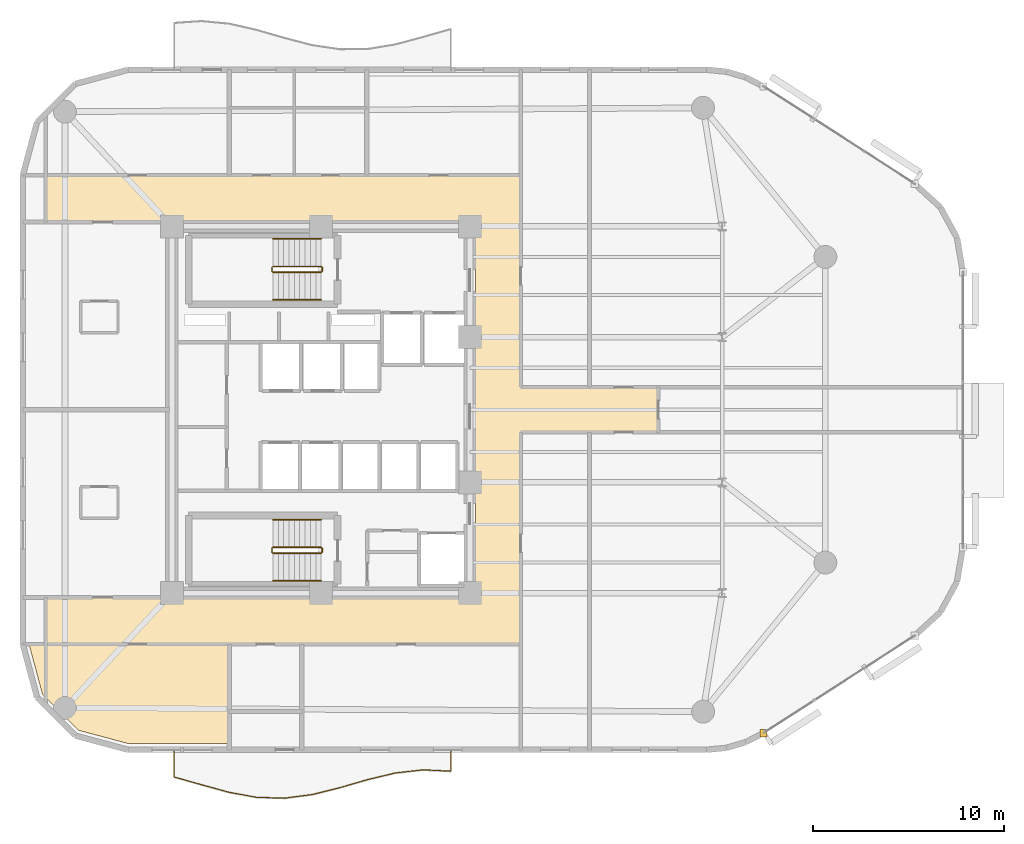
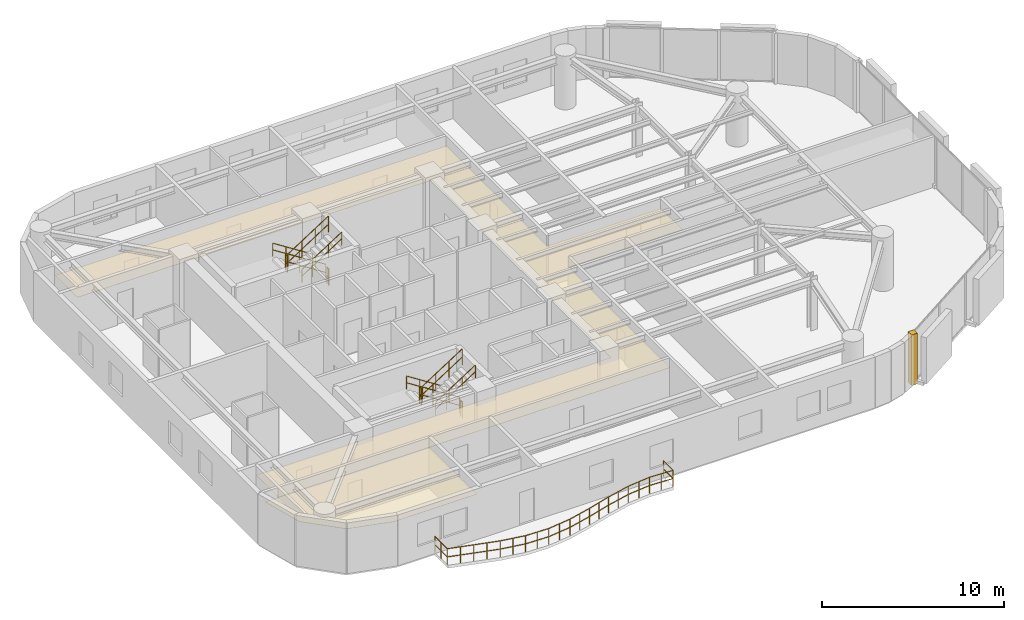
# One storey, part 14 of 15: 13 railings, 3 coverings.
"""IFC4 building model written with IfcOpenShell, lengths in metres."""

import ifcopenshell
import ifcopenshell.guid

model = None  # the IFC model being written
_history = None  # IfcOwnerHistory: only IFC2X3 demands one
_inside = {}  # id of a spatial element -> (the spatial element, [elements in it])
_under = {}  # id of a project, library or spatial element -> (it, [spatial elements below it])
_declared = {}  # id of a project -> (the project, [libraries it declares])
_typed = {}  # id of a type object -> (the type object, [elements of that type])
_made_of = {}  # id of a material, layer set ... -> (it, [elements and type objects made of it])


def new_model(schema):
    """Start an empty IFC model of exactly this schema.

    Asked for "IFC4X3", IfcOpenShell would pick the latest addendum, in which some entities
    have other attributes; the version numbers below select the first issue.
    IFC2X3 requires an IfcOwnerHistory on every rooted entity: one is made here for all.
    """
    global model, _history
    if schema == "IFC4X3":
        model = ifcopenshell.file(schema_version=(4, 3, 0, 0))
    else:
        model = ifcopenshell.file(schema=schema)
    _inside.clear()
    _under.clear()
    _declared.clear()
    _typed.clear()
    _made_of.clear()
    _history = None
    if model.schema == "IFC2X3":
        org = make("IfcOrganization", Name="unknown")
        user = make(
            "IfcPersonAndOrganization",
            ThePerson=make("IfcPerson", FamilyName="unknown"),
            TheOrganization=org,
        )
        app = make(
            "IfcApplication",
            ApplicationDeveloper=org,
            Version="unknown",
            ApplicationFullName="unknown",
            ApplicationIdentifier="unknown",
        )
        _history = make(
            "IfcOwnerHistory",
            OwningUser=user,
            OwningApplication=app,
            ChangeAction="ADDED",
            CreationDate=0,
        )
    return model


def make(cls, **values):
    """One entity of the class cls with the attributes given. An attribute that is None is left unset."""
    return model.create_entity(
        cls, **{name: value for name, value in values.items() if value is not None}
    )


def rooted(cls, **values):
    """An entity with a GlobalId (a new one), such as an element, a storey or a relation."""
    return make(cls, GlobalId=ifcopenshell.guid.new(), OwnerHistory=_history, **values)


def si_unit(unit_type, name, prefix=None):
    """IfcSIUnit, for example si_unit("LENGTHUNIT", "METRE", prefix="MILLI")."""
    return make("IfcSIUnit", UnitType=unit_type, Prefix=prefix, Name=name)


def assignment(units):
    """IfcUnitAssignment: the units of a project."""
    return None if units is None else make("IfcUnitAssignment", Units=units)


def point(xyz):
    """IfcCartesianPoint."""
    return None if xyz is None else make("IfcCartesianPoint", Coordinates=xyz)


def direction(xyz):
    """IfcDirection."""
    return None if xyz is None else make("IfcDirection", DirectionRatios=xyz)


def frame(location, z_axis=None, x_axis=None):
    """IfcAxis2Placement3D, a coordinate frame: its origin and axes. An axis left out is left unset."""
    return make(
        "IfcAxis2Placement3D",
        Location=point(location),
        Axis=direction(z_axis),
        RefDirection=direction(x_axis),
    )


def frame_2d(location, x_axis=None):
    """IfcAxis2Placement2D, a coordinate frame in the plane: its origin and x axis."""
    return make(
        "IfcAxis2Placement2D", Location=point(location), RefDirection=direction(x_axis)
    )


def origin():
    """The frame at (0, 0, 0) with its axes left unset."""
    return frame((0.0, 0.0, 0.0))


def origin_2d():
    """The frame at (0, 0) in the plane with its x axis left unset."""
    return frame_2d((0.0, 0.0))


def place(relative_to, where):
    """IfcLocalPlacement: puts the frame where relative to a parent placement (None: the world)."""
    return make(
        "IfcLocalPlacement", PlacementRelTo=relative_to, RelativePlacement=where
    )


def context(
    kind, dimensions, precision=None, world=None, true_north=None, identifier=None
):
    """IfcGeometricRepresentationContext, for example the 3D "Model" context."""
    return make(
        "IfcGeometricRepresentationContext",
        ContextIdentifier=identifier,
        ContextType=kind,
        CoordinateSpaceDimension=dimensions,
        Precision=precision,
        WorldCoordinateSystem=world,
        TrueNorth=true_north,
    )


def subcontext(parent, identifier, kind, view, scale=None):
    """IfcGeometricRepresentationSubContext, for example "Body" below "Model"."""
    return make(
        "IfcGeometricRepresentationSubContext",
        ContextIdentifier=identifier,
        ContextType=kind,
        ParentContext=parent,
        TargetScale=scale,
        TargetView=view,
    )


def project(units=None, contexts=None):
    """IfcProject with its units and contexts."""
    return rooted(
        "IfcProject",
        Name="project",
        RepresentationContexts=contexts,
        UnitsInContext=assignment(units),
    )


def spatial(cls, under=None, at=None, **own):
    """A site, building, storey or space (cls), placed at a placement, below another one or the project."""
    s = rooted(cls, ObjectPlacement=at, **own)
    if under is not None:
        _under.setdefault(under.id(), (under, []))[1].append(s)
    return s


def polyline(points):
    """IfcPolyline through the points."""
    return make("IfcPolyline", Points=[point(p) for p in points])


def profile(cls, at=None, kind="AREA", **sizes):
    """A parametric profile (cls). Its sizes go by their IFC names, for example OverallWidth=200.0."""
    return make(cls, ProfileType=kind, Position=at, **sizes)


def rectangle(**sizes):
    """IfcRectangleProfileDef."""
    return profile("IfcRectangleProfileDef", **sizes)


def circle(**sizes):
    """IfcCircleProfileDef."""
    return profile("IfcCircleProfileDef", **sizes)


def outline(outer, holes=None, kind="AREA"):
    """IfcArbitraryClosedProfileDef: a profile drawn as a closed curve; with holes, ...WithVoids."""
    if holes is None:
        return make("IfcArbitraryClosedProfileDef", ProfileType=kind, OuterCurve=outer)
    return make(
        "IfcArbitraryProfileDefWithVoids",
        ProfileType=kind,
        OuterCurve=outer,
        InnerCurves=holes,
    )


def extrude(swept, where, along, depth):
    """IfcExtrudedAreaSolid: the profile swept, set in the frame where, extruded along a direction by depth."""
    return make(
        "IfcExtrudedAreaSolid",
        SweptArea=swept,
        Position=where,
        ExtrudedDirection=direction(along),
        Depth=depth,
    )


def shape(context_of_items, identifier, shape_type, items):
    """IfcShapeRepresentation: the items that make up one representation, for example the "Body"."""
    return make(
        "IfcShapeRepresentation",
        ContextOfItems=context_of_items,
        RepresentationIdentifier=identifier,
        RepresentationType=shape_type,
        Items=items,
    )


def material(Name=None, Category=None):
    """IfcMaterial."""
    return make("IfcMaterial", Name=Name, Category=Category)


def layer(
    of_material, thickness, ventilated=None, Name=None, Category=None, Priority=None
):
    """IfcMaterialLayer: one layer of a wall or slab, of a material (None: an air gap)."""
    return make(
        "IfcMaterialLayer",
        Material=of_material,
        LayerThickness=thickness,
        IsVentilated=ventilated,
        Name=Name,
        Category=Category,
        Priority=Priority,
    )


def layer_set(layers, Name=None):
    """IfcMaterialLayerSet."""
    return make("IfcMaterialLayerSet", MaterialLayers=layers, LayerSetName=Name)


def made_of(thing, what):
    """Note that an element or type object is made of a material, layer set ...; save() writes the relation."""
    if what is not None:
        _made_of.setdefault(what.id(), (what, []))[1].append(thing)
    return thing


def type_object(cls, material=None, **own):
    """A type object (cls), such as IfcWallType, which elements share."""
    return made_of(rooted(cls, **own), material)


def element(
    cls,
    number,
    at=None,
    inside=None,
    cuts=None,
    type_object=None,
    material=None,
    context=None,
    identifier="Body",
    shape_type=None,
    held_by="IfcProductDefinitionShape",
    body=None,
    shapes=None,
    **own,
):
    """One element of the class cls, such as IfcWall. Its Tag is "e" and its number.

    at: its placement. inside: the storey or other place that contains it. cuts: it is an
    opening in that element (IfcRelVoidsElement). A single representation is given by context,
    identifier, shape_type and body (its items); several are given by shapes. held_by: the class
    of the entity that holds the representations. save() writes the other relations.
    """
    e = rooted(cls, Tag="e%d" % number, ObjectPlacement=at, **own)
    if body is not None:
        shapes = [shape(context, identifier, shape_type, body)]
    if shapes is not None:
        e.Representation = make(held_by, Representations=shapes)
    if inside is not None:
        _inside.setdefault(inside.id(), (inside, []))[1].append(e)
    if cuts is not None:
        rooted(
            "IfcRelVoidsElement", RelatingBuildingElement=cuts, RelatedOpeningElement=e
        )
    if type_object is not None:
        _typed.setdefault(type_object.id(), (type_object, []))[1].append(e)
    return made_of(e, material)


def aggregate(whole, parts):
    """IfcRelAggregates: a whole, such as a stair, and the parts it consists of."""
    return rooted("IfcRelAggregates", RelatingObject=whole, RelatedObjects=parts)


def save(model, path):
    """Write the relations noted so far, then the file.

    IfcRelAggregates (storeys below a building ...), IfcRelContainedInSpatialStructure (elements
    in a storey), IfcRelDefinesByType, IfcRelAssociatesMaterial and IfcRelDeclares: one each for
    every whole, place, type object, material and project.
    """
    for whole, parts in _under.values():
        aggregate(whole, parts)
    for where, things in _inside.values():
        rooted(
            "IfcRelContainedInSpatialStructure",
            RelatedElements=things,
            RelatingStructure=where,
        )
    for kind, things in _typed.values():
        rooted("IfcRelDefinesByType", RelatedObjects=things, RelatingType=kind)
    for what, things in _made_of.values():
        rooted("IfcRelAssociatesMaterial", RelatedObjects=things, RelatingMaterial=what)
    for by, libraries in _declared.values():
        rooted("IfcRelDeclares", RelatingContext=by, RelatedDefinitions=libraries)
    model.write(path)


model = new_model("IFC4")

# Units and contexts
model_context = context("Model", 3, precision=1e-05, world=origin(), true_north=direction((0.0, 1.0)))
body_context = subcontext(model_context, "Body", "Model", "MODEL_VIEW")
ifc_project = project(units=[si_unit("LENGTHUNIT", "METRE"), si_unit("AREAUNIT", "SQUARE_METRE"), si_unit("VOLUMEUNIT", "CUBIC_METRE"), si_unit("PLANEANGLEUNIT", "RADIAN"), si_unit("MASSUNIT", "GRAM", prefix="KILO")], contexts=[model_context])

# Site, building, storey
site_placement = place(None, origin())
site = spatial("IfcSite", under=ifc_project, at=site_placement, CompositionType="ELEMENT")
building_placement = place(site_placement, origin())
building = spatial("IfcBuilding", under=site, at=building_placement, Name="An Khanh Terracotta Commons", CompositionType="ELEMENT")
storey_placement = place(building_placement, frame((0.0, 0.0, 176.199951171875)))
storey = spatial("IfcBuildingStorey", under=building, at=storey_placement, Name="L46", CompositionType="ELEMENT", Elevation=176.199951171875)

# Coverings
ifc_material_1 = material(Name="Perforated Mineral-Fibre Acoustic Tile")
ifc_layer_1 = layer(ifc_material_1, 0.02001953125, Name="Perforated Mineral-Fibre Acoustic Tile")
ifc_layer_set_1 = layer_set([ifc_layer_1], Name="Perforated Mineral-Fibre Acoustic Tile")
covering_type_1 = type_object("IfcCoveringType", Name="CEIL-ACOUSTIC-18", PredefinedType="CEILING", material=ifc_layer_set_1)
covering_1_placement = place(storey_placement, frame((0.0, 0.0, 2.650146484375)))
element("IfcCovering", 1, at=covering_1_placement, inside=storey, type_object=covering_type_1, Name="L46 Corridor Ceiling", PredefinedType="CEILING", context=body_context, shape_type="SweptSolid", body=[
    extrude(outline(polyline([(15.0, 11.719970703125), (15.0, 14.179931640625), (37.5, 14.179931640625), (37.5, 33.820068359375), (15.0, 33.820068359375), (15.0, 36.280029296875), (37.5, 36.280029296875), (39.85009765625, 36.280029296875), (39.85009765625, 33.820068359375), (39.85009765625, 25.179931640625), (47.050048828125, 25.179931640625), (47.050048828125, 22.820068359375), (39.85009765625, 22.820068359375), (39.85009765625, 14.179931640625), (39.85009765625, 11.719970703125), (37.5, 11.719970703125), (15.0, 11.719970703125)])), origin(), (0.0, 0.0, 1.0), 0.02001953125),
])
covering_2_placement = place(storey_placement, frame((0.0, 0.0, 2.650146484375)))
element("IfcCovering", 2, at=covering_2_placement, inside=storey, type_object=covering_type_1, Name="L46 Academic Seminar Room Ceiling", PredefinedType="CEILING", context=body_context, shape_type="SweptSolid", body=[
    extrude(outline(polyline([(19.342041015625, 6.52001953125), (16.716064453125, 7.22412109375), (14.823974609375, 9.115966796875), (14.1259765625, 11.719970703125), (15.0, 11.719970703125), (24.60009765625, 11.719970703125), (24.60009765625, 8.199951171875), (24.60009765625, 6.52001953125), (19.342041015625, 6.52001953125)])), origin(), (0.0, 0.0, 1.0), 0.02001953125),
])
ifc_material_2 = material(Name="Fired Terracotta Rainscreen Cladding", Category="masonry")
ifc_layer_2 = layer(ifc_material_2, 0.080078125, Name="Fired Terracotta Rainscreen Cladding")
ifc_layer_set_2 = layer_set([ifc_layer_2], Name="Fired Terracotta Rainscreen Cladding")
covering_type_2 = type_object("IfcCoveringType", Name="COV-JAMB-TERRA", PredefinedType="CLADDING", material=ifc_layer_set_2)
covering_3_placement = place(storey_placement, frame((52.56005859375, 7.075927734375, 0.0), z_axis=(0.0, 0.0, 1.0), x_axis=(1.0, 0.0, 0.0)))
element("IfcCovering", 3, at=covering_3_placement, inside=storey, type_object=covering_type_2, Name="L46 CW-03 Curtain-Wall Jamb Closure JA", PredefinedType="CLADDING", context=body_context, shape_type="SweptSolid", body=[
    extrude(rectangle(XDim=0.3798828125, YDim=0.3798828125, at=origin_2d()), origin(), (0.0, 0.0, 1.0), 3.39990234375),
])

# Railings
ifc_material_3 = material(Name="Brushed Stainless Steel 316", Category="steel")
railing_type_1 = type_object("IfcRailingType", Name="RAIL-BALUSTRADE-1100", PredefinedType="BALUSTRADE", material=ifc_material_3)
railing_1_placement = place(storey_placement, frame((21.699951171875, 6.139892578125, 0.0)))
element("IfcRailing", 4, at=railing_1_placement, inside=storey, type_object=railing_type_1, Name="L46 S Wave Balcony Guard Balustrade", PredefinedType="BALUSTRADE", context=body_context, shape_type="SweptSolid", body=[
    extrude(circle(Radius=0.02392578125, at=origin_2d()), frame((0.0, 0.0, 1.076171875), z_axis=(0.0, -1.0, 0.0), x_axis=(1.0, 0.0, 0.0)), (0.0, 0.0, 1.0), 1.35498046875),
    extrude(circle(Radius=0.02392578125, at=origin_2d()), frame((0.0, 0.0, 0.52587890625), z_axis=(0.0, -1.0, 0.0), x_axis=(1.0, 0.0, 0.0)), (0.0, 0.0, 1.0), 1.35498046875),
    extrude(circle(Radius=0.02392578125, at=origin_2d()), frame((0.0, -1.35498046875, 1.076171875), z_axis=(0.962454018427, -0.271444768625, 0.0), x_axis=(0.271444768625, 0.962454018427, 0.0)), (0.0, 0.0, 1.0), 1.506591796875),
    extrude(circle(Radius=0.02392578125, at=origin_2d()), frame((0.0, -1.35498046875, 0.52587890625), z_axis=(0.962454018427, -0.271444768625, 0.0), x_axis=(0.271444768625, 0.962454018427, 0.0)), (0.0, 0.0, 1.0), 1.506591796875),
    extrude(circle(Radius=0.02392578125, at=origin_2d()), frame((1.449951171875, -1.763916015625, 1.076171875), z_axis=(0.964184639972, -0.265231936316, 0.0), x_axis=(0.265231936316, 0.964184639972, 0.0)), (0.0, 0.0, 1.0), 1.504150390625),
    extrude(circle(Radius=0.02392578125, at=origin_2d()), frame((1.449951171875, -1.763916015625, 0.52587890625), z_axis=(0.964184639972, -0.265231936316, 0.0), x_axis=(0.265231936316, 0.964184639972, 0.0)), (0.0, 0.0, 1.0), 1.504150390625),
    extrude(circle(Radius=0.02392578125, at=origin_2d()), frame((2.900146484375, -2.162841796875, 1.076171875), z_axis=(0.984068137441, -0.177791734547, 0.0), x_axis=(0.177791734547, 0.984068137441, 0.0)), (0.0, 0.0, 1.0), 1.473388671875),
    extrude(circle(Radius=0.02392578125, at=origin_2d()), frame((2.900146484375, -2.162841796875, 0.52587890625), z_axis=(0.984068137441, -0.177791734547, 0.0), x_axis=(0.177791734547, 0.984068137441, 0.0)), (0.0, 0.0, 1.0), 1.473388671875),
    extrude(circle(Radius=0.02392578125, at=origin_2d()), frame((4.35009765625, -2.4248046875, 1.076171875), z_axis=(0.999580890837, -0.028948966699, 0.0), x_axis=(0.028948966699, 0.999580890837, 0.0)), (0.0, 0.0, 1.0), 1.450439453125),
    extrude(circle(Radius=0.02392578125, at=origin_2d()), frame((4.35009765625, -2.4248046875, 0.52587890625), z_axis=(0.999580890837, -0.028948966699, 0.0), x_axis=(0.028948966699, 0.999580890837, 0.0)), (0.0, 0.0, 1.0), 1.450439453125),
    extrude(circle(Radius=0.02392578125, at=origin_2d()), frame((5.800048828125, -2.466796875, 1.076171875), z_axis=(0.991528574992, 0.129888740755, 0.0), x_axis=(-0.129888740755, 0.991528574992, 0.0)), (0.0, 0.0, 1.0), 1.46240234375),
    extrude(circle(Radius=0.02392578125, at=origin_2d()), frame((5.800048828125, -2.466796875, 0.52587890625), z_axis=(0.991528574992, 0.129888740755, 0.0), x_axis=(-0.129888740755, 0.991528574992, 0.0)), (0.0, 0.0, 1.0), 1.46240234375),
    extrude(circle(Radius=0.02392578125, at=origin_2d()), frame((7.25, -2.27685546875, 1.076171875), z_axis=(0.970209729733, 0.242266548105, 0.0), x_axis=(-0.242266548105, 0.970209729733, 0.0)), (0.0, 0.0, 1.0), 1.494384765625),
    extrude(circle(Radius=0.02392578125, at=origin_2d()), frame((7.25, -2.27685546875, 0.52587890625), z_axis=(0.970209729733, 0.242266548105, 0.0), x_axis=(-0.242266548105, 0.970209729733, 0.0)), (0.0, 0.0, 1.0), 1.494384765625),
    extrude(circle(Radius=0.02392578125, at=origin_2d()), frame((8.699951171875, -1.914794921875, 1.076171875), z_axis=(0.960368566916, 0.278733233899, 0.0), x_axis=(-0.278733233899, 0.960368566916, 0.0)), (0.0, 0.0, 1.0), 1.510009765625),
    extrude(circle(Radius=0.02392578125, at=origin_2d()), frame((8.699951171875, -1.914794921875, 0.52587890625), z_axis=(0.960368566916, 0.278733233899, 0.0), x_axis=(-0.278733233899, 0.960368566916, 0.0)), (0.0, 0.0, 1.0), 1.510009765625),
    extrude(circle(Radius=0.02392578125, at=origin_2d()), frame((10.150146484375, -1.493896484375, 1.076171875), z_axis=(0.972549089824, 0.232697803778, 0.0), x_axis=(-0.232697803778, 0.972549089824, 0.0)), (0.0, 0.0, 1.0), 1.490966796875),
    extrude(circle(Radius=0.02392578125, at=origin_2d()), frame((10.150146484375, -1.493896484375, 0.52587890625), z_axis=(0.972549089824, 0.232697803778, 0.0), x_axis=(-0.232697803778, 0.972549089824, 0.0)), (0.0, 0.0, 1.0), 1.490966796875),
    extrude(circle(Radius=0.02392578125, at=origin_2d()), frame((11.60009765625, -1.14697265625, 1.076171875), z_axis=(0.993807997131, 0.11111104733, 0.0), x_axis=(-0.11111104733, 0.993807997131, 0.0)), (0.0, 0.0, 1.0), 1.458984375),
    extrude(circle(Radius=0.02392578125, at=origin_2d()), frame((11.60009765625, -1.14697265625, 0.52587890625), z_axis=(0.993807997131, 0.11111104733, 0.0), x_axis=(-0.11111104733, 0.993807997131, 0.0)), (0.0, 0.0, 1.0), 1.458984375),
    extrude(circle(Radius=0.02392578125, at=origin_2d()), frame((13.050048828125, -0.98486328125, 1.076171875), z_axis=(0.998768641109, -0.049610498253, 0.0), x_axis=(0.049610498253, 0.998768641109, 0.0)), (0.0, 0.0, 1.0), 1.45166015625),
    extrude(circle(Radius=0.02392578125, at=origin_2d()), frame((13.050048828125, -0.98486328125, 0.52587890625), z_axis=(0.998768641109, -0.049610498253, 0.0), x_axis=(0.049610498253, 0.998768641109, 0.0)), (0.0, 0.0, 1.0), 1.45166015625),
    extrude(circle(Radius=0.02392578125, at=origin_2d()), frame((14.5, -1.056884765625, 1.076171875), z_axis=(0.0, 1.0, 0.0), x_axis=(-1.0, 0.0, 0.0)), (0.0, 0.0, 1.0), 1.056884765625),
    extrude(circle(Radius=0.02392578125, at=origin_2d()), frame((14.5, -1.056884765625, 0.52587890625), z_axis=(0.0, 1.0, 0.0), x_axis=(-1.0, 0.0, 0.0)), (0.0, 0.0, 1.0), 1.056884765625),
    extrude(circle(Radius=0.02099609375, at=origin_2d()), origin(), (0.0, 0.0, 1.0), 1.052001953125),
    extrude(circle(Radius=0.02099609375, at=origin_2d()), frame((0.0, -0.677490234375, 0.0)), (0.0, 0.0, 1.0), 1.052001953125),
    extrude(circle(Radius=0.02099609375, at=origin_2d()), frame((0.0, -1.35498046875, 0.0)), (0.0, 0.0, 1.0), 1.052001953125),
    extrude(circle(Radius=0.02099609375, at=origin_2d()), frame((0.72509765625, -1.5595703125, 0.0)), (0.0, 0.0, 1.0), 1.052001953125),
    extrude(circle(Radius=0.02099609375, at=origin_2d()), frame((1.449951171875, -1.763916015625, 0.0)), (0.0, 0.0, 1.0), 1.052001953125),
    extrude(circle(Radius=0.02099609375, at=origin_2d()), frame((2.175048828125, -1.96337890625, 0.0)), (0.0, 0.0, 1.0), 1.052001953125),
    extrude(circle(Radius=0.02099609375, at=origin_2d()), frame((2.900146484375, -2.162841796875, 0.0)), (0.0, 0.0, 1.0), 1.052001953125),
    extrude(circle(Radius=0.02099609375, at=origin_2d()), frame((3.625, -2.2939453125, 0.0)), (0.0, 0.0, 1.0), 1.052001953125),
    extrude(circle(Radius=0.02099609375, at=origin_2d()), frame((4.35009765625, -2.4248046875, 0.0)), (0.0, 0.0, 1.0), 1.052001953125),
    extrude(circle(Radius=0.02099609375, at=origin_2d()), frame((5.0751953125, -2.44580078125, 0.0)), (0.0, 0.0, 1.0), 1.052001953125),
    extrude(circle(Radius=0.02099609375, at=origin_2d()), frame((5.800048828125, -2.466796875, 0.0)), (0.0, 0.0, 1.0), 1.052001953125),
    extrude(circle(Radius=0.02099609375, at=origin_2d()), frame((6.52490234375, -2.371826171875, 0.0)), (0.0, 0.0, 1.0), 1.052001953125),
    extrude(circle(Radius=0.02099609375, at=origin_2d()), frame((7.25, -2.27685546875, 0.0)), (0.0, 0.0, 1.0), 1.052001953125),
    extrude(circle(Radius=0.02099609375, at=origin_2d()), frame((7.97509765625, -2.095703125, 0.0)), (0.0, 0.0, 1.0), 1.052001953125),
    extrude(circle(Radius=0.02099609375, at=origin_2d()), frame((8.699951171875, -1.914794921875, 0.0)), (0.0, 0.0, 1.0), 1.052001953125),
    extrude(circle(Radius=0.02099609375, at=origin_2d()), frame((9.425048828125, -1.704345703125, 0.0)), (0.0, 0.0, 1.0), 1.052001953125),
    extrude(circle(Radius=0.02099609375, at=origin_2d()), frame((10.150146484375, -1.493896484375, 0.0)), (0.0, 0.0, 1.0), 1.052001953125),
    extrude(circle(Radius=0.02099609375, at=origin_2d()), frame((10.875, -1.3203125, 0.0)), (0.0, 0.0, 1.0), 1.052001953125),
    extrude(circle(Radius=0.02099609375, at=origin_2d()), frame((11.60009765625, -1.14697265625, 0.0)), (0.0, 0.0, 1.0), 1.052001953125),
    extrude(circle(Radius=0.02099609375, at=origin_2d()), frame((12.3251953125, -1.06591796875, 0.0)), (0.0, 0.0, 1.0), 1.052001953125),
    extrude(circle(Radius=0.02099609375, at=origin_2d()), frame((13.050048828125, -0.98486328125, 0.0)), (0.0, 0.0, 1.0), 1.052001953125),
    extrude(circle(Radius=0.02099609375, at=origin_2d()), frame((13.77490234375, -1.02099609375, 0.0)), (0.0, 0.0, 1.0), 1.052001953125),
    extrude(circle(Radius=0.02099609375, at=origin_2d()), frame((14.5, -1.056884765625, 0.0)), (0.0, 0.0, 1.0), 1.052001953125),
    extrude(circle(Radius=0.02099609375, at=origin_2d()), frame((14.5, 0.0, 0.0)), (0.0, 0.0, 1.0), 1.052001953125),
])
railing_type_2 = type_object("IfcRailingType", Name="RAIL-HANDRAIL-900", PredefinedType="HANDRAIL", material=ifc_material_3)
railing_2_placement = place(storey_placement, frame((29.409912109375, 32.949951171875, 0.179931640625)))
element("IfcRailing", 5, at=railing_2_placement, inside=storey, type_object=railing_type_2, Name="L46 ST-01 stair handrail 1", PredefinedType="HANDRAIL", context=body_context, shape_type="SweptSolid", body=[
    extrude(circle(Radius=0.02392578125, at=origin_2d()), frame((0.0, 0.0, 0.8759765625), z_axis=(-0.841162588446, 0.0, 0.540782303519), x_axis=(0.0, -1.0, 0.0)), (0.0, 0.0, 1.0), 2.995849609375),
    extrude(circle(Radius=0.02392578125, at=origin_2d()), frame((0.0, 0.0, 0.42578125), z_axis=(-0.841162588446, 0.0, 0.540782303519), x_axis=(0.0, -1.0, 0.0)), (0.0, 0.0, 1.0), 2.995849609375),
    extrude(circle(Radius=0.02099609375, at=origin_2d()), origin(), (0.0, 0.0, 1.0), 0.851806640625),
    extrude(circle(Radius=0.02099609375, at=origin_2d()), frame((-0.840087890625, 0.0, 0.5400390625)), (0.0, 0.0, 1.0), 0.851806640625),
    extrude(circle(Radius=0.02099609375, at=origin_2d()), frame((-1.679931640625, 0.0, 1.080078125)), (0.0, 0.0, 1.0), 0.851806640625),
    extrude(circle(Radius=0.02099609375, at=origin_2d()), frame((-2.52001953125, 0.0, 1.6201171875)), (0.0, 0.0, 1.0), 0.851806640625),
])
railing_3_placement = place(storey_placement, frame((26.889892578125, 29.75, 1.97998046875)))
element("IfcRailing", 6, at=railing_3_placement, inside=storey, type_object=railing_type_2, Name="L46 ST-01 stair handrail 2", PredefinedType="HANDRAIL", context=body_context, shape_type="SweptSolid", body=[
    extrude(circle(Radius=0.02392578125, at=origin_2d()), frame((0.0, 0.0, 0.8759765625), z_axis=(0.841162588446, 0.0, 0.540782303519), x_axis=(0.0, 1.0, 0.0)), (0.0, 0.0, 1.0), 2.995849609375),
    extrude(circle(Radius=0.02392578125, at=origin_2d()), frame((0.0, 0.0, 0.42578125), z_axis=(0.841162588446, 0.0, 0.540782303519), x_axis=(0.0, 1.0, 0.0)), (0.0, 0.0, 1.0), 2.995849609375),
    extrude(circle(Radius=0.02099609375, at=origin_2d()), origin(), (0.0, 0.0, 1.0), 0.851806640625),
    extrude(circle(Radius=0.02099609375, at=origin_2d()), frame((0.840087890625, 0.0, 0.5400390625)), (0.0, 0.0, 1.0), 0.851806640625),
    extrude(circle(Radius=0.02099609375, at=origin_2d()), frame((1.679931640625, 0.0, 1.080078125)), (0.0, 0.0, 1.0), 0.851806640625),
    extrude(circle(Radius=0.02099609375, at=origin_2d()), frame((2.52001953125, 0.0, 1.6201171875)), (0.0, 0.0, 1.0), 0.851806640625),
])
railing_4_placement = place(storey_placement, frame((29.409912109375, 18.25, 0.179931640625)))
element("IfcRailing", 7, at=railing_4_placement, inside=storey, type_object=railing_type_2, Name="L46 ST-02 stair handrail 1", PredefinedType="HANDRAIL", context=body_context, shape_type="SweptSolid", body=[
    extrude(circle(Radius=0.02392578125, at=origin_2d()), frame((0.0, 0.0, 0.8759765625), z_axis=(-0.841162588446, 0.0, 0.540782303519), x_axis=(0.0, -1.0, 0.0)), (0.0, 0.0, 1.0), 2.995849609375),
    extrude(circle(Radius=0.02392578125, at=origin_2d()), frame((0.0, 0.0, 0.42578125), z_axis=(-0.841162588446, 0.0, 0.540782303519), x_axis=(0.0, -1.0, 0.0)), (0.0, 0.0, 1.0), 2.995849609375),
    extrude(circle(Radius=0.02099609375, at=origin_2d()), origin(), (0.0, 0.0, 1.0), 0.851806640625),
    extrude(circle(Radius=0.02099609375, at=origin_2d()), frame((-0.840087890625, 0.0, 0.5400390625)), (0.0, 0.0, 1.0), 0.851806640625),
    extrude(circle(Radius=0.02099609375, at=origin_2d()), frame((-1.679931640625, 0.0, 1.080078125)), (0.0, 0.0, 1.0), 0.851806640625),
    extrude(circle(Radius=0.02099609375, at=origin_2d()), frame((-2.52001953125, 0.0, 1.6201171875)), (0.0, 0.0, 1.0), 0.851806640625),
])
railing_5_placement = place(storey_placement, frame((26.889892578125, 15.050048828125, 1.97998046875)))
element("IfcRailing", 8, at=railing_5_placement, inside=storey, type_object=railing_type_2, Name="L46 ST-02 stair handrail 2", PredefinedType="HANDRAIL", context=body_context, shape_type="SweptSolid", body=[
    extrude(circle(Radius=0.02392578125, at=origin_2d()), frame((0.0, 0.0, 0.8759765625), z_axis=(0.841162588446, 0.0, 0.540782303519), x_axis=(0.0, 1.0, 0.0)), (0.0, 0.0, 1.0), 2.995849609375),
    extrude(circle(Radius=0.02392578125, at=origin_2d()), frame((0.0, 0.0, 0.42578125), z_axis=(0.841162588446, 0.0, 0.540782303519), x_axis=(0.0, 1.0, 0.0)), (0.0, 0.0, 1.0), 2.995849609375),
    extrude(circle(Radius=0.02099609375, at=origin_2d()), origin(), (0.0, 0.0, 1.0), 0.851806640625),
    extrude(circle(Radius=0.02099609375, at=origin_2d()), frame((0.840087890625, 0.0, 0.5400390625)), (0.0, 0.0, 1.0), 0.851806640625),
    extrude(circle(Radius=0.02099609375, at=origin_2d()), frame((1.679931640625, 0.0, 1.080078125)), (0.0, 0.0, 1.0), 0.851806640625),
    extrude(circle(Radius=0.02099609375, at=origin_2d()), frame((2.52001953125, 0.0, 1.6201171875)), (0.0, 0.0, 1.0), 0.851806640625),
])
ifc_material_4 = material(Name="Powder-Coated Steel S355J2", Category="steel")
railing_type_3 = type_object("IfcRailingType", Name="RAIL-STAIR-GUARD-1100", PredefinedType="BALUSTRADE", material=ifc_material_4)
railing_6_placement = place(storey_placement, frame((29.409912109375, 31.5, 0.179931640625)))
element("IfcRailing", 9, at=railing_6_placement, inside=storey, type_object=railing_type_3, Name="L46 ST-01 stair guard 1", PredefinedType="BALUSTRADE", context=body_context, shape_type="SweptSolid", body=[
    extrude(circle(Radius=0.02392578125, at=origin_2d()), frame((0.0, 0.0, 1.076171875), z_axis=(-0.841162588446, 0.0, 0.540782303519), x_axis=(0.0, -1.0, 0.0)), (0.0, 0.0, 1.0), 2.995849609375),
    extrude(circle(Radius=0.02392578125, at=origin_2d()), frame((0.0, 0.0, 0.52587890625), z_axis=(-0.841162588446, 0.0, 0.540782303519), x_axis=(0.0, -1.0, 0.0)), (0.0, 0.0, 1.0), 2.995849609375),
    extrude(circle(Radius=0.02099609375, at=origin_2d()), origin(), (0.0, 0.0, 1.0), 1.052001953125),
    extrude(circle(Radius=0.02099609375, at=origin_2d()), frame((-0.840087890625, 0.0, 0.5400390625)), (0.0, 0.0, 1.0), 1.052001953125),
    extrude(circle(Radius=0.02099609375, at=origin_2d()), frame((-1.679931640625, 0.0, 1.080078125)), (0.0, 0.0, 1.0), 1.052001953125),
    extrude(circle(Radius=0.02099609375, at=origin_2d()), frame((-2.52001953125, 0.0, 1.6201171875)), (0.0, 0.0, 1.0), 1.052001953125),
])
railing_7_placement = place(storey_placement, frame((26.840087890625, 31.449951171875, 1.800048828125)))
element("IfcRailing", 10, at=railing_7_placement, inside=storey, type_object=railing_type_3, Name="L46 ST-01 stair guard 2", PredefinedType="BALUSTRADE", context=body_context, shape_type="SweptSolid", body=[
    extrude(circle(Radius=0.02392578125, at=origin_2d()), frame((0.0, 0.0, 1.076171875), z_axis=(0.0, -1.0, 0.0), x_axis=(1.0, 0.0, 0.0)), (0.0, 0.0, 1.0), 0.199951171875),
    extrude(circle(Radius=0.02392578125, at=origin_2d()), frame((0.0, 0.0, 0.52587890625), z_axis=(0.0, -1.0, 0.0), x_axis=(1.0, 0.0, 0.0)), (0.0, 0.0, 1.0), 0.199951171875),
    extrude(circle(Radius=0.02099609375, at=origin_2d()), origin(), (0.0, 0.0, 1.0), 1.052001953125),
    extrude(circle(Radius=0.02099609375, at=origin_2d()), frame((0.0, -0.199951171875, 0.0)), (0.0, 0.0, 1.0), 1.052001953125),
])
railing_8_placement = place(storey_placement, frame((26.889892578125, 31.199951171875, 1.97998046875)))
element("IfcRailing", 11, at=railing_8_placement, inside=storey, type_object=railing_type_3, Name="L46 ST-01 stair guard 3", PredefinedType="BALUSTRADE", context=body_context, shape_type="SweptSolid", body=[
    extrude(circle(Radius=0.02392578125, at=origin_2d()), frame((0.0, 0.0, 1.076171875), z_axis=(0.841162588446, 0.0, 0.540782303519), x_axis=(0.0, 1.0, 0.0)), (0.0, 0.0, 1.0), 2.995849609375),
    extrude(circle(Radius=0.02392578125, at=origin_2d()), frame((0.0, 0.0, 0.52587890625), z_axis=(0.841162588446, 0.0, 0.540782303519), x_axis=(0.0, 1.0, 0.0)), (0.0, 0.0, 1.0), 2.995849609375),
    extrude(circle(Radius=0.02099609375, at=origin_2d()), origin(), (0.0, 0.0, 1.0), 1.052001953125),
    extrude(circle(Radius=0.02099609375, at=origin_2d()), frame((0.840087890625, 0.0, 0.5400390625)), (0.0, 0.0, 1.0), 1.052001953125),
    extrude(circle(Radius=0.02099609375, at=origin_2d()), frame((1.679931640625, 0.0, 1.080078125)), (0.0, 0.0, 1.0), 1.052001953125),
    extrude(circle(Radius=0.02099609375, at=origin_2d()), frame((2.52001953125, 0.0, 1.6201171875)), (0.0, 0.0, 1.0), 1.052001953125),
])
railing_9_placement = place(storey_placement, frame((29.4599609375, 31.449951171875, 0.0)))
element("IfcRailing", 12, at=railing_9_placement, inside=storey, type_object=railing_type_3, Name="L46 ST-01 stair guard 4", PredefinedType="BALUSTRADE", context=body_context, shape_type="SweptSolid", body=[
    extrude(circle(Radius=0.02392578125, at=origin_2d()), frame((0.0, 0.0, 1.076171875), z_axis=(0.0, -1.0, 0.0), x_axis=(1.0, 0.0, 0.0)), (0.0, 0.0, 1.0), 0.199951171875),
    extrude(circle(Radius=0.02392578125, at=origin_2d()), frame((0.0, 0.0, 0.52587890625), z_axis=(0.0, -1.0, 0.0), x_axis=(1.0, 0.0, 0.0)), (0.0, 0.0, 1.0), 0.199951171875),
    extrude(circle(Radius=0.02099609375, at=origin_2d()), origin(), (0.0, 0.0, 1.0), 1.052001953125),
    extrude(circle(Radius=0.02099609375, at=origin_2d()), frame((0.0, -0.199951171875, 0.0)), (0.0, 0.0, 1.0), 1.052001953125),
])
railing_10_placement = place(storey_placement, frame((29.409912109375, 16.800048828125, 0.179931640625)))
element("IfcRailing", 13, at=railing_10_placement, inside=storey, type_object=railing_type_3, Name="L46 ST-02 stair guard 1", PredefinedType="BALUSTRADE", context=body_context, shape_type="SweptSolid", body=[
    extrude(circle(Radius=0.02392578125, at=origin_2d()), frame((0.0, 0.0, 1.076171875), z_axis=(-0.841162588446, 0.0, 0.540782303519), x_axis=(0.0, -1.0, 0.0)), (0.0, 0.0, 1.0), 2.995849609375),
    extrude(circle(Radius=0.02392578125, at=origin_2d()), frame((0.0, 0.0, 0.52587890625), z_axis=(-0.841162588446, 0.0, 0.540782303519), x_axis=(0.0, -1.0, 0.0)), (0.0, 0.0, 1.0), 2.995849609375),
    extrude(circle(Radius=0.02099609375, at=origin_2d()), origin(), (0.0, 0.0, 1.0), 1.052001953125),
    extrude(circle(Radius=0.02099609375, at=origin_2d()), frame((-0.840087890625, 0.0, 0.5400390625)), (0.0, 0.0, 1.0), 1.052001953125),
    extrude(circle(Radius=0.02099609375, at=origin_2d()), frame((-1.679931640625, 0.0, 1.080078125)), (0.0, 0.0, 1.0), 1.052001953125),
    extrude(circle(Radius=0.02099609375, at=origin_2d()), frame((-2.52001953125, 0.0, 1.6201171875)), (0.0, 0.0, 1.0), 1.052001953125),
])
railing_11_placement = place(storey_placement, frame((26.840087890625, 16.75, 1.800048828125)))
element("IfcRailing", 14, at=railing_11_placement, inside=storey, type_object=railing_type_3, Name="L46 ST-02 stair guard 2", PredefinedType="BALUSTRADE", context=body_context, shape_type="SweptSolid", body=[
    extrude(circle(Radius=0.02392578125, at=origin_2d()), frame((0.0, 0.0, 1.076171875), z_axis=(0.0, -1.0, 0.0), x_axis=(1.0, 0.0, 0.0)), (0.0, 0.0, 1.0), 0.199951171875),
    extrude(circle(Radius=0.02392578125, at=origin_2d()), frame((0.0, 0.0, 0.52587890625), z_axis=(0.0, -1.0, 0.0), x_axis=(1.0, 0.0, 0.0)), (0.0, 0.0, 1.0), 0.199951171875),
    extrude(circle(Radius=0.02099609375, at=origin_2d()), origin(), (0.0, 0.0, 1.0), 1.052001953125),
    extrude(circle(Radius=0.02099609375, at=origin_2d()), frame((0.0, -0.199951171875, 0.0)), (0.0, 0.0, 1.0), 1.052001953125),
])
railing_12_placement = place(storey_placement, frame((26.889892578125, 16.5, 1.97998046875)))
element("IfcRailing", 15, at=railing_12_placement, inside=storey, type_object=railing_type_3, Name="L46 ST-02 stair guard 3", PredefinedType="BALUSTRADE", context=body_context, shape_type="SweptSolid", body=[
    extrude(circle(Radius=0.02392578125, at=origin_2d()), frame((0.0, 0.0, 1.076171875), z_axis=(0.841162588446, 0.0, 0.540782303519), x_axis=(0.0, 1.0, 0.0)), (0.0, 0.0, 1.0), 2.995849609375),
    extrude(circle(Radius=0.02392578125, at=origin_2d()), frame((0.0, 0.0, 0.52587890625), z_axis=(0.841162588446, 0.0, 0.540782303519), x_axis=(0.0, 1.0, 0.0)), (0.0, 0.0, 1.0), 2.995849609375),
    extrude(circle(Radius=0.02099609375, at=origin_2d()), origin(), (0.0, 0.0, 1.0), 1.052001953125),
    extrude(circle(Radius=0.02099609375, at=origin_2d()), frame((0.840087890625, 0.0, 0.5400390625)), (0.0, 0.0, 1.0), 1.052001953125),
    extrude(circle(Radius=0.02099609375, at=origin_2d()), frame((1.679931640625, 0.0, 1.080078125)), (0.0, 0.0, 1.0), 1.052001953125),
    extrude(circle(Radius=0.02099609375, at=origin_2d()), frame((2.52001953125, 0.0, 1.6201171875)), (0.0, 0.0, 1.0), 1.052001953125),
])
railing_13_placement = place(storey_placement, frame((29.4599609375, 16.75, 0.0)))
element("IfcRailing", 16, at=railing_13_placement, inside=storey, type_object=railing_type_3, Name="L46 ST-02 stair guard 4", PredefinedType="BALUSTRADE", context=body_context, shape_type="SweptSolid", body=[
    extrude(circle(Radius=0.02392578125, at=origin_2d()), frame((0.0, 0.0, 1.076171875), z_axis=(0.0, -1.0, 0.0), x_axis=(1.0, 0.0, 0.0)), (0.0, 0.0, 1.0), 0.199951171875),
    extrude(circle(Radius=0.02392578125, at=origin_2d()), frame((0.0, 0.0, 0.52587890625), z_axis=(0.0, -1.0, 0.0), x_axis=(1.0, 0.0, 0.0)), (0.0, 0.0, 1.0), 0.199951171875),
    extrude(circle(Radius=0.02099609375, at=origin_2d()), origin(), (0.0, 0.0, 1.0), 1.052001953125),
    extrude(circle(Radius=0.02099609375, at=origin_2d()), frame((0.0, -0.199951171875, 0.0)), (0.0, 0.0, 1.0), 1.052001953125),
])

save(model, "model.ifc")
